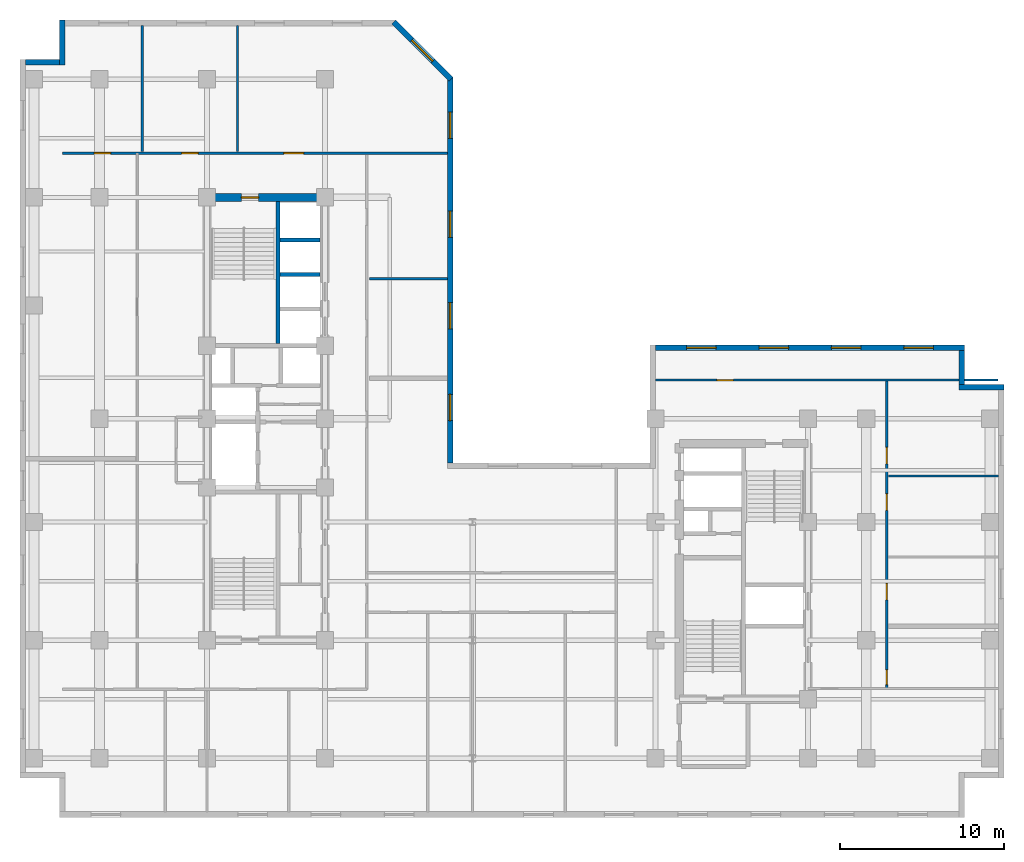
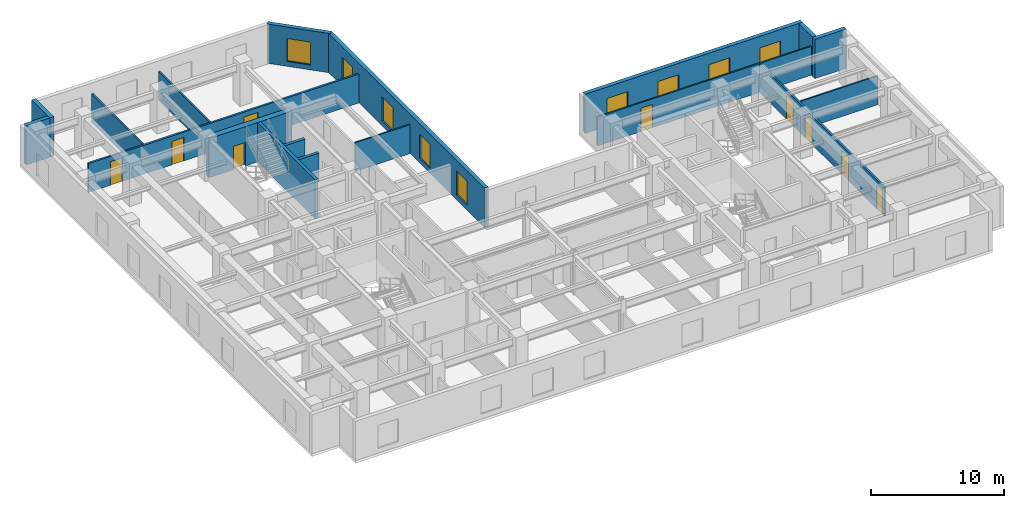
# One storey, part 6 of 10: 18 walls, 9 doors, 9 windows, 18 openings.
"""IFC4 building model written with IfcOpenShell, lengths in metres."""

from ifc_helpers import new_model, entity, si_unit, converted_unit, direction, frame, origin_with_axes, origin_2d_with_axis, place, context, subcontext, project, spatial, polyline, rectangle, outline, extrude, material, layer, layer_set, type_object, element, fill, save


model = new_model("IFC4")

# Units and contexts
model_context = context("Model", 3, precision=1e-05, world=origin_with_axes(), true_north=direction((0.0, 1.0)))
body_context = subcontext(model_context, "Body", "Model", "MODEL_VIEW")
ifc_project = project(units=[si_unit("LENGTHUNIT", "METRE"), si_unit("AREAUNIT", "SQUARE_METRE"), si_unit("VOLUMEUNIT", "CUBIC_METRE"), converted_unit("PLANEANGLEUNIT", "DEGREE", entity("IfcPlaneAngleMeasure", 0.017453292519943295), si_unit("PLANEANGLEUNIT", "RADIAN"), dimensions=[0, 0, 0, 0, 0, 0, 0]), si_unit("MASSUNIT", "GRAM", prefix="KILO"), si_unit("THERMODYNAMICTEMPERATUREUNIT", "KELVIN")], contexts=[model_context])

# Site, building, storey
site_placement = place(None, origin_with_axes())
site = spatial("IfcSite", under=ifc_project, at=site_placement, CompositionType="ELEMENT")
building_placement = place(site_placement, origin_with_axes())
building = spatial("IfcBuilding", under=site, at=building_placement, Name="Varnlund Millrace Tower", CompositionType="ELEMENT")
storey_placement = place(building_placement, frame((0.0, 0.0, 183.6), z_axis=(0.0, 0.0, 1.0), x_axis=(1.0, 0.0, 0.0)))
storey = spatial("IfcBuildingStorey", under=building, at=storey_placement, Name="L45", CompositionType="ELEMENT", Elevation=183.6)

# Wall, opening, door
ifc_material_1 = material(Name="Concrete C70/85", Category="concrete")
ifc_layer_1 = layer(ifc_material_1, 0.5, Name="Concrete C70/85")
ifc_layer_set_1 = layer_set([ifc_layer_1], Name="Concrete C70/85")
wall_type_1 = type_object("IfcWallType", Name="Type-CoreWall-Shear-500-C70", PredefinedType="SHEAR", material=ifc_layer_set_1)
wall_1_placement = place(storey_placement, frame((11.4, 37.8, 0.0), z_axis=(0.0, 0.0, 1.0), x_axis=(1.0, 0.0, 0.0)))
wall_1 = element("IfcWall", 1, at=wall_1_placement, inside=storey, type_object=wall_type_1, Name="Type-CoreWall-Shear-500-C70", PredefinedType="SHEAR", context=body_context, shape_type="SweptSolid", body=[
    extrude(outline(polyline([(0.0, -0.25), (7.2, -0.25), (7.2, 0.25), (0.0, 0.25), (0.0, -0.25)])), origin_with_axes(), (0.0, 0.0, 1.0), 3.6),
])
opening_1_placement = place(wall_1_placement, frame((2.625, 0.0, 0.0), z_axis=(0.0, 0.0, 1.0), x_axis=(1.0, 0.0, 0.0)))
opening_1 = element("IfcOpeningElement", 2, at=opening_1_placement, cuts=wall_1, Name="Opening L45:DR-STA2", PredefinedType="OPENING", context=body_context, shape_type="SweptSolid", body=[
    extrude(rectangle(XDim=1.05, YDim=0.52, at=origin_2d_with_axis()), origin_with_axes(), (0.0, 0.0, 1.0), 2.15),
])
ifc_material_2 = material(Name="Fire-rated hollow steel door", Category="steel")
door_type_1 = type_object("IfcDoorType", Name="Type-FireDoor-Stair-1050X2150", OperationType="NOTDEFINED", PredefinedType="DOOR", material=ifc_material_2)
door_1_placement = place(wall_1_placement, frame((2.625, 0.0, 0.0), z_axis=(0.0, 0.0, 1.0), x_axis=(1.0, 0.0, 0.0)))
door_1 = element("IfcDoor", 3, at=door_1_placement, inside=storey, type_object=door_type_1, Name="Type-FireDoor-Stair-1050X2150", OperationType="SINGLE_SWING_RIGHT", OverallHeight=2.15, OverallWidth=1.05, PredefinedType="DOOR", context=body_context, shape_type="SweptSolid", body=[
    extrude(rectangle(XDim=1.05, YDim=0.09, at=origin_2d_with_axis()), origin_with_axes(), (0.0, 0.0, 1.0), 2.15),
])
fill(opening_1, door_1)

# Wall, openings, windows
ifc_material_3 = material(Name="Precast concrete C50/60", Category="concrete")
ifc_layer_2 = layer(ifc_material_3, 0.34, Name="Precast concrete C50/60")
ifc_layer_set_2 = layer_set([ifc_layer_2], Name="Precast concrete C50/60")
wall_type_2 = type_object("IfcWallType", Name="Type-ExtWall-Precast-Upper-340", PredefinedType="SOLIDWALL", material=ifc_layer_set_2)
wall_2_placement = place(storey_placement, frame((38.74, 28.63, 0.0), z_axis=(0.0, 0.0, 1.0), x_axis=(1.0, 0.0, 0.0)))
wall_2 = element("IfcWall", 4, at=wall_2_placement, inside=storey, type_object=wall_type_2, Name="Type-ExtWall-Precast-Upper-340", PredefinedType="SOLIDWALL", context=body_context, shape_type="SweptSolid", body=[
    extrude(outline(polyline([(0.0, -0.17), (18.86, -0.17), (18.86, 0.17), (0.0, 0.17), (0.0, -0.17)])), origin_with_axes(), (0.0, 0.0, 1.0), 3.6),
])
opening_2_placement = place(wall_2_placement, frame((2.808, 0.0, 0.45), z_axis=(0.0, 0.0, 1.0), x_axis=(1.0, 0.0, 0.0)))
opening_2 = element("IfcOpeningElement", 5, at=opening_2_placement, cuts=wall_2, Name="Opening L45:WN-01", PredefinedType="OPENING", context=body_context, shape_type="SweptSolid", body=[
    extrude(rectangle(XDim=1.8, YDim=0.36, at=origin_2d_with_axis()), origin_with_axes(), (0.0, 0.0, 1.0), 2.1),
])
opening_3_placement = place(wall_2_placement, frame((7.222, 0.0, 0.45), z_axis=(0.0, 0.0, 1.0), x_axis=(1.0, 0.0, 0.0)))
opening_3 = element("IfcOpeningElement", 6, at=opening_3_placement, cuts=wall_2, Name="Opening L45:WN-02", PredefinedType="OPENING", context=body_context, shape_type="SweptSolid", body=[
    extrude(rectangle(XDim=1.8, YDim=0.36, at=origin_2d_with_axis()), origin_with_axes(), (0.0, 0.0, 1.0), 2.1),
])
opening_4_placement = place(wall_2_placement, frame((11.637, 0.0, 0.45), z_axis=(0.0, 0.0, 1.0), x_axis=(1.0, 0.0, 0.0)))
opening_4 = element("IfcOpeningElement", 7, at=opening_4_placement, cuts=wall_2, Name="Opening L45:WN-03", PredefinedType="OPENING", context=body_context, shape_type="SweptSolid", body=[
    extrude(rectangle(XDim=1.8, YDim=0.36, at=origin_2d_with_axis()), origin_with_axes(), (0.0, 0.0, 1.0), 2.1),
])
opening_5_placement = place(wall_2_placement, frame((16.053, 0.0, 0.45), z_axis=(0.0, 0.0, 1.0), x_axis=(1.0, 0.0, 0.0)))
opening_5 = element("IfcOpeningElement", 8, at=opening_5_placement, cuts=wall_2, Name="Opening L45:WN-04", PredefinedType="OPENING", context=body_context, shape_type="SweptSolid", body=[
    extrude(rectangle(XDim=1.8, YDim=0.36, at=origin_2d_with_axis()), origin_with_axes(), (0.0, 0.0, 1.0), 2.1),
])
ifc_material_4 = material(Name="Argon low-e triple glazing in thermally broken bronze frame", Category="glass")
window_type_1 = type_object("IfcWindowType", Name="Type-Window-Punched-1800X2100", PartitioningType="SINGLE_PANEL", PredefinedType="WINDOW", material=ifc_material_4)
window_1_placement = place(wall_2_placement, frame((2.808, 0.0, 0.45), z_axis=(0.0, 0.0, 1.0), x_axis=(1.0, 0.0, 0.0)))
window_1 = element("IfcWindow", 9, at=window_1_placement, inside=storey, type_object=window_type_1, Name="Type-Window-Punched-1800X2100", OverallHeight=2.1, OverallWidth=1.8, PredefinedType="WINDOW", context=body_context, shape_type="SweptSolid", body=[
    extrude(rectangle(XDim=1.8, YDim=0.09, at=origin_2d_with_axis()), origin_with_axes(), (0.0, 0.0, 1.0), 2.1),
])
fill(opening_2, window_1)
window_2_placement = place(wall_2_placement, frame((7.222, 0.0, 0.45), z_axis=(0.0, 0.0, 1.0), x_axis=(1.0, 0.0, 0.0)))
window_2 = element("IfcWindow", 10, at=window_2_placement, inside=storey, type_object=window_type_1, Name="Type-Window-Punched-1800X2100", OverallHeight=2.1, OverallWidth=1.8, PredefinedType="WINDOW", context=body_context, shape_type="SweptSolid", body=[
    extrude(rectangle(XDim=1.8, YDim=0.09, at=origin_2d_with_axis()), origin_with_axes(), (0.0, 0.0, 1.0), 2.1),
])
fill(opening_3, window_2)
window_3_placement = place(wall_2_placement, frame((11.637, 0.0, 0.45), z_axis=(0.0, 0.0, 1.0), x_axis=(1.0, 0.0, 0.0)))
window_3 = element("IfcWindow", 11, at=window_3_placement, inside=storey, type_object=window_type_1, Name="Type-Window-Punched-1800X2100", OverallHeight=2.1, OverallWidth=1.8, PredefinedType="WINDOW", context=body_context, shape_type="SweptSolid", body=[
    extrude(rectangle(XDim=1.8, YDim=0.09, at=origin_2d_with_axis()), origin_with_axes(), (0.0, 0.0, 1.0), 2.1),
])
fill(opening_4, window_3)
window_4_placement = place(wall_2_placement, frame((16.053, 0.0, 0.45), z_axis=(0.0, 0.0, 1.0), x_axis=(1.0, 0.0, 0.0)))
window_4 = element("IfcWindow", 12, at=window_4_placement, inside=storey, type_object=window_type_1, Name="Type-Window-Punched-1800X2100", OverallHeight=2.1, OverallWidth=1.8, PredefinedType="WINDOW", context=body_context, shape_type="SweptSolid", body=[
    extrude(rectangle(XDim=1.8, YDim=0.09, at=origin_2d_with_axis()), origin_with_axes(), (0.0, 0.0, 1.0), 2.1),
])
fill(opening_5, window_4)

# Walls
wall_3_placement = place(storey_placement, frame((57.43, 28.46, 0.0), z_axis=(0.0, 0.0, 1.0), x_axis=(0.0, -1.0, 0.0)))
element("IfcWall", 13, at=wall_3_placement, inside=storey, type_object=wall_type_2, Name="Type-ExtWall-Precast-Upper-340", PredefinedType="SOLIDWALL", context=body_context, shape_type="SweptSolid", body=[
    extrude(outline(polyline([(0.0, -0.17), (2.06, -0.17), (2.06, 0.17), (0.0, 0.17), (0.0, -0.17)])), origin_with_axes(), (0.0, 0.0, 1.0), 3.6),
])
wall_4_placement = place(storey_placement, frame((57.26, 26.23, 0.0), z_axis=(0.0, 0.0, 1.0), x_axis=(1.0, 0.0, 0.0)))
element("IfcWall", 14, at=wall_4_placement, inside=storey, type_object=wall_type_2, Name="Type-ExtWall-Precast-Upper-340", PredefinedType="SOLIDWALL", context=body_context, shape_type="SweptSolid", body=[
    extrude(outline(polyline([(0.0, -0.17), (2.74, -0.17), (2.74, 0.17), (0.0, 0.17), (0.0, -0.17)])), origin_with_axes(), (0.0, 0.0, 1.0), 3.6),
])
wall_5_placement = place(storey_placement, frame((0.34, 46.03, 0.0), z_axis=(0.0, 0.0, 1.0), x_axis=(1.0, 0.0, 0.0)))
element("IfcWall", 15, at=wall_5_placement, inside=storey, type_object=wall_type_2, Name="Type-ExtWall-Precast-Upper-340", PredefinedType="SOLIDWALL", context=body_context, shape_type="SweptSolid", body=[
    extrude(outline(polyline([(0.0, -0.17), (2.06, -0.17), (2.06, 0.17), (0.0, 0.17), (0.0, -0.17)])), origin_with_axes(), (0.0, 0.0, 1.0), 3.6),
])
wall_6_placement = place(storey_placement, frame((2.57, 45.86, 0.0), z_axis=(0.0, 0.0, 1.0), x_axis=(0.0, 1.0, 0.0)))
element("IfcWall", 16, at=wall_6_placement, inside=storey, type_object=wall_type_2, Name="Type-ExtWall-Precast-Upper-340", PredefinedType="SOLIDWALL", context=body_context, shape_type="SweptSolid", body=[
    extrude(outline(polyline([(0.0, -0.17), (2.74, -0.17), (2.74, 0.17), (0.0, 0.17), (0.0, -0.17)])), origin_with_axes(), (0.0, 0.0, 1.0), 3.6),
])

# Wall, opening, window
wall_7_placement = place(storey_placement, frame((22.78, 48.494, 0.0), z_axis=(0.0, 0.0, 1.0), x_axis=(0.707107, -0.707107, 0.0)))
wall_7 = element("IfcWall", 17, at=wall_7_placement, inside=storey, type_object=wall_type_2, Name="Type-ExtWall-Precast-Upper-340", PredefinedType="SOLIDWALL", context=body_context, shape_type="SweptSolid", body=[
    extrude(outline(polyline([(0.0, -0.17), (4.941262, -0.17), (4.941262, 0.17), (0.0, 0.17), (0.0, -0.17)])), origin_with_axes(), (0.0, 0.0, 1.0), 3.6),
])
opening_6_placement = place(wall_7_placement, frame((2.471, 0.0, 0.45), z_axis=(0.0, 0.0, 1.0), x_axis=(1.0, 0.0, 0.0)))
opening_6 = element("IfcOpeningElement", 18, at=opening_6_placement, cuts=wall_7, Name="Opening L45:WN-29", PredefinedType="OPENING", context=body_context, shape_type="SweptSolid", body=[
    extrude(rectangle(XDim=1.8, YDim=0.36, at=origin_2d_with_axis()), origin_with_axes(), (0.0, 0.0, 1.0), 2.1),
])
window_5_placement = place(wall_7_placement, frame((2.471, 0.0, 0.45), z_axis=(0.0, 0.0, 1.0), x_axis=(1.0, 0.0, 0.0)))
window_5 = element("IfcWindow", 19, at=window_5_placement, inside=storey, type_object=window_type_1, Name="Type-Window-Punched-1800X2100", OverallHeight=2.1, OverallWidth=1.8, PredefinedType="WINDOW", context=body_context, shape_type="SweptSolid", body=[
    extrude(rectangle(XDim=1.8, YDim=0.09, at=origin_2d_with_axis()), origin_with_axes(), (0.0, 0.0, 1.0), 2.1),
])
fill(opening_6, window_5)

# Wall, openings, windows
wall_8_placement = place(storey_placement, frame((26.224, 45.14, 0.0), z_axis=(0.0, 0.0, 1.0), x_axis=(0.0, -1.0, 0.0)))
wall_8 = element("IfcWall", 20, at=wall_8_placement, inside=storey, type_object=wall_type_2, Name="Type-ExtWall-Precast-Upper-340", PredefinedType="SOLIDWALL", context=body_context, shape_type="SweptSolid", body=[
    extrude(outline(polyline([(0.0, -0.17), (23.54, -0.17), (23.54, 0.17), (0.0, 0.17), (0.0, -0.17)])), origin_with_axes(), (0.0, 0.0, 1.0), 3.6),
])
opening_7_placement = place(wall_8_placement, frame((2.943, 0.0, 0.45), z_axis=(0.0, 0.0, 1.0), x_axis=(1.0, 0.0, 0.0)))
opening_7 = element("IfcOpeningElement", 21, at=opening_7_placement, cuts=wall_8, Name="Opening L45:WN-30", PredefinedType="OPENING", context=body_context, shape_type="SweptSolid", body=[
    extrude(rectangle(XDim=1.6, YDim=0.36, at=origin_2d_with_axis()), origin_with_axes(), (0.0, 0.0, 1.0), 2.2),
])
opening_8_placement = place(wall_8_placement, frame((8.977, 0.0, 0.45), z_axis=(0.0, 0.0, 1.0), x_axis=(1.0, 0.0, 0.0)))
opening_8 = element("IfcOpeningElement", 22, at=opening_8_placement, cuts=wall_8, Name="Opening L45:WN-31", PredefinedType="OPENING", context=body_context, shape_type="SweptSolid", body=[
    extrude(rectangle(XDim=1.6, YDim=0.36, at=origin_2d_with_axis()), origin_with_axes(), (0.0, 0.0, 1.0), 2.2),
])
opening_9_placement = place(wall_8_placement, frame((14.562, 0.0, 0.45), z_axis=(0.0, 0.0, 1.0), x_axis=(1.0, 0.0, 0.0)))
opening_9 = element("IfcOpeningElement", 23, at=opening_9_placement, cuts=wall_8, Name="Opening L45:WN-32", PredefinedType="OPENING", context=body_context, shape_type="SweptSolid", body=[
    extrude(rectangle(XDim=1.6, YDim=0.36, at=origin_2d_with_axis()), origin_with_axes(), (0.0, 0.0, 1.0), 2.2),
])
opening_10_placement = place(wall_8_placement, frame((20.148, 0.0, 0.45), z_axis=(0.0, 0.0, 1.0), x_axis=(1.0, 0.0, 0.0)))
opening_10 = element("IfcOpeningElement", 24, at=opening_10_placement, cuts=wall_8, Name="Opening L45:WN-33", PredefinedType="OPENING", context=body_context, shape_type="SweptSolid", body=[
    extrude(rectangle(XDim=1.6, YDim=0.36, at=origin_2d_with_axis()), origin_with_axes(), (0.0, 0.0, 1.0), 2.2),
])
window_type_2 = type_object("IfcWindowType", Name="Type-Window-Slot-1600X2200", PartitioningType="SINGLE_PANEL", PredefinedType="WINDOW", material=ifc_material_4)
window_6_placement = place(wall_8_placement, frame((2.943, 0.0, 0.45), z_axis=(0.0, 0.0, 1.0), x_axis=(1.0, 0.0, 0.0)))
window_6 = element("IfcWindow", 25, at=window_6_placement, inside=storey, type_object=window_type_2, Name="Type-Window-Slot-1600X2200", OverallHeight=2.2, OverallWidth=1.6, PredefinedType="WINDOW", context=body_context, shape_type="SweptSolid", body=[
    extrude(rectangle(XDim=1.6, YDim=0.09, at=origin_2d_with_axis()), origin_with_axes(), (0.0, 0.0, 1.0), 2.2),
])
fill(opening_7, window_6)
window_7_placement = place(wall_8_placement, frame((8.977, 0.0, 0.45), z_axis=(0.0, 0.0, 1.0), x_axis=(1.0, 0.0, 0.0)))
window_7 = element("IfcWindow", 26, at=window_7_placement, inside=storey, type_object=window_type_2, Name="Type-Window-Slot-1600X2200", OverallHeight=2.2, OverallWidth=1.6, PredefinedType="WINDOW", context=body_context, shape_type="SweptSolid", body=[
    extrude(rectangle(XDim=1.6, YDim=0.09, at=origin_2d_with_axis()), origin_with_axes(), (0.0, 0.0, 1.0), 2.2),
])
fill(opening_8, window_7)
window_8_placement = place(wall_8_placement, frame((14.562, 0.0, 0.45), z_axis=(0.0, 0.0, 1.0), x_axis=(1.0, 0.0, 0.0)))
window_8 = element("IfcWindow", 27, at=window_8_placement, inside=storey, type_object=window_type_2, Name="Type-Window-Slot-1600X2200", OverallHeight=2.2, OverallWidth=1.6, PredefinedType="WINDOW", context=body_context, shape_type="SweptSolid", body=[
    extrude(rectangle(XDim=1.6, YDim=0.09, at=origin_2d_with_axis()), origin_with_axes(), (0.0, 0.0, 1.0), 2.2),
])
fill(opening_9, window_8)
window_9_placement = place(wall_8_placement, frame((20.148, 0.0, 0.45), z_axis=(0.0, 0.0, 1.0), x_axis=(1.0, 0.0, 0.0)))
window_9 = element("IfcWindow", 28, at=window_9_placement, inside=storey, type_object=window_type_2, Name="Type-Window-Slot-1600X2200", OverallHeight=2.2, OverallWidth=1.6, PredefinedType="WINDOW", context=body_context, shape_type="SweptSolid", body=[
    extrude(rectangle(XDim=1.6, YDim=0.09, at=origin_2d_with_axis()), origin_with_axes(), (0.0, 0.0, 1.0), 2.2),
])
fill(opening_10, window_9)

# Wall, openings, doors
ifc_material_5 = material(Name="Fire-rated gypsum board on cold-formed steel framing", Category="steel")
ifc_layer_3 = layer(ifc_material_5, 0.16, Name="Fire-rated gypsum board on cold-formed steel framing")
ifc_layer_set_3 = layer_set([ifc_layer_3], Name="Fire-rated gypsum board on cold-formed steel framing")
wall_type_3 = type_object("IfcWallType", Name="Type-Partition-Corridor-160", PredefinedType="PARTITIONING", material=ifc_layer_set_3)
wall_9_placement = place(storey_placement, frame((2.6, 40.5, 0.0), z_axis=(0.0, 0.0, 1.0), x_axis=(1.0, 0.0, 0.0)))
wall_9 = element("IfcWall", 29, at=wall_9_placement, inside=storey, type_object=wall_type_3, Name="Type-Partition-Corridor-160", PredefinedType="PARTITIONING", context=body_context, shape_type="SweptSolid", body=[
    extrude(outline(polyline([(0.0, -0.08), (23.459, -0.08), (23.459, 0.08), (0.0, 0.08), (0.0, -0.08)])), origin_with_axes(), (0.0, 0.0, 1.0), 2.64),
])
opening_11_placement = place(wall_9_placement, frame((2.4225, 0.0, 0.0), z_axis=(0.0, 0.0, 1.0), x_axis=(1.0, 0.0, 0.0)))
opening_11 = element("IfcOpeningElement", 30, at=opening_11_placement, cuts=wall_9, Name="Opening L45:DR-WAN-01", PredefinedType="OPENING", context=body_context, shape_type="SweptSolid", body=[
    extrude(rectangle(XDim=1.0, YDim=0.18, at=origin_2d_with_axis()), origin_with_axes(), (0.0, 0.0, 1.0), 2.15),
])
opening_12_placement = place(wall_9_placement, frame((7.7565, 0.0, 0.0), z_axis=(0.0, 0.0, 1.0), x_axis=(1.0, 0.0, 0.0)))
opening_12 = element("IfcOpeningElement", 31, at=opening_12_placement, cuts=wall_9, Name="Opening L45:DR-WAN-02", PredefinedType="OPENING", context=body_context, shape_type="SweptSolid", body=[
    extrude(rectangle(XDim=1.0, YDim=0.18, at=origin_2d_with_axis()), origin_with_axes(), (0.0, 0.0, 1.0), 2.15),
])
opening_13_placement = place(wall_9_placement, frame((14.089, 0.0, 0.0), z_axis=(0.0, 0.0, 1.0), x_axis=(1.0, 0.0, 0.0)))
opening_13 = element("IfcOpeningElement", 32, at=opening_13_placement, cuts=wall_9, Name="Opening L45:DR-WAN-03", PredefinedType="OPENING", context=body_context, shape_type="SweptSolid", body=[
    extrude(rectangle(XDim=1.2, YDim=0.18, at=origin_2d_with_axis()), origin_with_axes(), (0.0, 0.0, 1.0), 2.2),
])
ifc_material_6 = material(Name="Wide executive white oak acoustic door")
door_type_2 = type_object("IfcDoorType", Name="Type-IntDoor-Exec-1200X2200", OperationType="NOTDEFINED", PredefinedType="DOOR", material=ifc_material_6)
door_2_placement = place(wall_9_placement, frame((14.089, 0.0, 0.0), z_axis=(0.0, 0.0, 1.0), x_axis=(1.0, 0.0, 0.0)))
door_2 = element("IfcDoor", 33, at=door_2_placement, inside=storey, type_object=door_type_2, Name="Type-IntDoor-Exec-1200X2200", OperationType="SINGLE_SWING_LEFT", OverallHeight=2.2, OverallWidth=1.2, PredefinedType="DOOR", context=body_context, shape_type="SweptSolid", body=[
    extrude(rectangle(XDim=1.2, YDim=0.09, at=origin_2d_with_axis()), origin_with_axes(), (0.0, 0.0, 1.0), 2.2),
])
fill(opening_13, door_2)
ifc_material_7 = material(Name="Solid-core white oak and bronze frame door")
door_type_3 = type_object("IfcDoorType", Name="Type-IntDoor-Office-1000X2150", OperationType="NOTDEFINED", PredefinedType="DOOR", material=ifc_material_7)
door_3_placement = place(wall_9_placement, frame((2.4225, 0.0, 0.0), z_axis=(0.0, 0.0, 1.0), x_axis=(1.0, 0.0, 0.0)))
door_3 = element("IfcDoor", 34, at=door_3_placement, inside=storey, type_object=door_type_3, Name="Type-IntDoor-Office-1000X2150", OperationType="SINGLE_SWING_LEFT", OverallHeight=2.15, OverallWidth=1.0, PredefinedType="DOOR", context=body_context, shape_type="SweptSolid", body=[
    extrude(rectangle(XDim=1.0, YDim=0.09, at=origin_2d_with_axis()), origin_with_axes(), (0.0, 0.0, 1.0), 2.15),
])
fill(opening_11, door_3)
door_4_placement = place(wall_9_placement, frame((7.7565, 0.0, 0.0), z_axis=(0.0, 0.0, 1.0), x_axis=(1.0, 0.0, 0.0)))
door_4 = element("IfcDoor", 35, at=door_4_placement, inside=storey, type_object=door_type_3, Name="Type-IntDoor-Office-1000X2150", OperationType="SINGLE_SWING_RIGHT", OverallHeight=2.15, OverallWidth=1.0, PredefinedType="DOOR", context=body_context, shape_type="SweptSolid", body=[
    extrude(rectangle(XDim=1.0, YDim=0.09, at=origin_2d_with_axis()), origin_with_axes(), (0.0, 0.0, 1.0), 2.15),
])
fill(opening_12, door_4)

wall_10_placement = place(storey_placement, frame((52.85, 7.85, 0.0), z_axis=(0.0, 0.0, 1.0), x_axis=(0.0, 1.0, 0.0)))
wall_10 = element("IfcWall", 36, at=wall_10_placement, inside=storey, type_object=wall_type_3, Name="Type-Partition-Corridor-160", PredefinedType="PARTITIONING", context=body_context, shape_type="SweptSolid", body=[
    extrude(outline(polyline([(0.0, -0.08), (18.8, -0.08), (18.8, 0.08), (0.0, 0.08), (0.0, -0.08)])), origin_with_axes(), (0.0, 0.0, 1.0), 2.64),
])
opening_14_placement = place(wall_10_placement, frame((0.684, 0.0, 0.0), z_axis=(0.0, 0.0, 1.0), x_axis=(1.0, 0.0, 0.0)))
opening_14 = element("IfcOpeningElement", 37, at=opening_14_placement, cuts=wall_10, Name="Opening L45:DR-WB-01", PredefinedType="OPENING", context=body_context, shape_type="SweptSolid", body=[
    extrude(rectangle(XDim=0.9, YDim=0.18, at=origin_2d_with_axis()), origin_with_axes(), (0.0, 0.0, 1.0), 2.15),
])
opening_15_placement = place(wall_10_placement, frame((5.907, 0.0, 0.0), z_axis=(0.0, 0.0, 1.0), x_axis=(1.0, 0.0, 0.0)))
opening_15 = element("IfcOpeningElement", 38, at=opening_15_placement, cuts=wall_10, Name="Opening L45:DR-WB-02", PredefinedType="OPENING", context=body_context, shape_type="SweptSolid", body=[
    extrude(rectangle(XDim=1.0, YDim=0.18, at=origin_2d_with_axis()), origin_with_axes(), (0.0, 0.0, 1.0), 2.15),
])
opening_16_placement = place(wall_10_placement, frame((11.368, 0.0, 0.0), z_axis=(0.0, 0.0, 1.0), x_axis=(1.0, 0.0, 0.0)))
opening_16 = element("IfcOpeningElement", 39, at=opening_16_placement, cuts=wall_10, Name="Opening L45:DR-WB-03", PredefinedType="OPENING", context=body_context, shape_type="SweptSolid", body=[
    extrude(rectangle(XDim=1.0, YDim=0.18, at=origin_2d_with_axis()), origin_with_axes(), (0.0, 0.0, 1.0), 2.15),
])
opening_17_placement = place(wall_10_placement, frame((14.204, 0.0, 0.0), z_axis=(0.0, 0.0, 1.0), x_axis=(1.0, 0.0, 0.0)))
opening_17 = element("IfcOpeningElement", 40, at=opening_17_placement, cuts=wall_10, Name="Opening L45:DR-WB-04", PredefinedType="OPENING", context=body_context, shape_type="SweptSolid", body=[
    extrude(rectangle(XDim=1.0, YDim=0.18, at=origin_2d_with_axis()), origin_with_axes(), (0.0, 0.0, 1.0), 2.15),
])
ifc_material_8 = material(Name="Painted steel riser and closet door", Category="steel")
door_type_4 = type_object("IfcDoorType", Name="Type-IntDoor-Closet-900X2150", OperationType="NOTDEFINED", PredefinedType="DOOR", material=ifc_material_8)
door_5_placement = place(wall_10_placement, frame((0.684, 0.0, 0.0), z_axis=(0.0, 0.0, 1.0), x_axis=(1.0, 0.0, 0.0)))
door_5 = element("IfcDoor", 41, at=door_5_placement, inside=storey, type_object=door_type_4, Name="Type-IntDoor-Closet-900X2150", OperationType="SINGLE_SWING_LEFT", OverallHeight=2.15, OverallWidth=0.9, PredefinedType="DOOR", context=body_context, shape_type="SweptSolid", body=[
    extrude(rectangle(XDim=0.9, YDim=0.09, at=origin_2d_with_axis()), origin_with_axes(), (0.0, 0.0, 1.0), 2.15),
])
fill(opening_14, door_5)
door_6_placement = place(wall_10_placement, frame((5.907, 0.0, 0.0), z_axis=(0.0, 0.0, 1.0), x_axis=(1.0, 0.0, 0.0)))
door_6 = element("IfcDoor", 42, at=door_6_placement, inside=storey, type_object=door_type_3, Name="Type-IntDoor-Office-1000X2150", OperationType="SINGLE_SWING_RIGHT", OverallHeight=2.15, OverallWidth=1.0, PredefinedType="DOOR", context=body_context, shape_type="SweptSolid", body=[
    extrude(rectangle(XDim=1.0, YDim=0.09, at=origin_2d_with_axis()), origin_with_axes(), (0.0, 0.0, 1.0), 2.15),
])
fill(opening_15, door_6)
door_7_placement = place(wall_10_placement, frame((11.368, 0.0, 0.0), z_axis=(0.0, 0.0, 1.0), x_axis=(1.0, 0.0, 0.0)))
door_7 = element("IfcDoor", 43, at=door_7_placement, inside=storey, type_object=door_type_3, Name="Type-IntDoor-Office-1000X2150", OperationType="SINGLE_SWING_LEFT", OverallHeight=2.15, OverallWidth=1.0, PredefinedType="DOOR", context=body_context, shape_type="SweptSolid", body=[
    extrude(rectangle(XDim=1.0, YDim=0.09, at=origin_2d_with_axis()), origin_with_axes(), (0.0, 0.0, 1.0), 2.15),
])
fill(opening_16, door_7)
door_8_placement = place(wall_10_placement, frame((14.204, 0.0, 0.0), z_axis=(0.0, 0.0, 1.0), x_axis=(1.0, 0.0, 0.0)))
door_8 = element("IfcDoor", 44, at=door_8_placement, inside=storey, type_object=door_type_3, Name="Type-IntDoor-Office-1000X2150", OperationType="SINGLE_SWING_RIGHT", OverallHeight=2.15, OverallWidth=1.0, PredefinedType="DOOR", context=body_context, shape_type="SweptSolid", body=[
    extrude(rectangle(XDim=1.0, YDim=0.09, at=origin_2d_with_axis()), origin_with_axes(), (0.0, 0.0, 1.0), 2.15),
])
fill(opening_17, door_8)

# Walls
ifc_material_9 = material(Name="Acoustic STC-50 gypsum board partition", Category="gypsum")
ifc_layer_4 = layer(ifc_material_9, 0.15, Name="Acoustic STC-50 gypsum board partition")
ifc_layer_set_4 = layer_set([ifc_layer_4], Name="Acoustic STC-50 gypsum board partition")
wall_type_4 = type_object("IfcWallType", Name="Type-Partition-Demising-150", PredefinedType="PARTITIONING", material=ifc_layer_set_4)
wall_11_placement = place(storey_placement, frame((7.455, 40.6, 0.0), z_axis=(0.0, 0.0, 1.0), x_axis=(0.0, 1.0, 0.0)))
element("IfcWall", 45, at=wall_11_placement, inside=storey, type_object=wall_type_4, Name="Type-Partition-Demising-150", PredefinedType="PARTITIONING", context=body_context, shape_type="SweptSolid", body=[
    extrude(outline(polyline([(0.0, -0.075), (7.665, -0.075), (7.665, 0.075), (0.0, 0.075), (0.0, -0.075)])), origin_with_axes(), (0.0, 0.0, 1.0), 2.64),
])
ifc_material_10 = material(Name="Gypsum board tenant partition", Category="gypsum")
ifc_layer_5 = layer(ifc_material_10, 0.125, Name="Gypsum board tenant partition")
ifc_layer_set_5 = layer_set([ifc_layer_5], Name="Gypsum board tenant partition")
wall_type_5 = type_object("IfcWallType", Name="Type-Partition-Tenant-125", PredefinedType="PARTITIONING", material=ifc_layer_set_5)
wall_12_placement = place(storey_placement, frame((13.258, 40.6, 0.0), z_axis=(0.0, 0.0, 1.0), x_axis=(0.0, 1.0, 0.0)))
element("IfcWall", 46, at=wall_12_placement, inside=storey, type_object=wall_type_5, Name="Type-Partition-Tenant-125", PredefinedType="PARTITIONING", context=body_context, shape_type="SweptSolid", body=[
    extrude(outline(polyline([(0.0, -0.0625), (7.665, -0.0625), (7.665, 0.0625), (0.0, 0.0625), (0.0, -0.0625)])), origin_with_axes(), (0.0, 0.0, 1.0), 2.64),
])
wall_13_placement = place(storey_placement, frame((21.3, 32.837, 0.0), z_axis=(0.0, 0.0, 1.0), x_axis=(1.0, 0.0, 0.0)))
element("IfcWall", 47, at=wall_13_placement, inside=storey, type_object=wall_type_5, Name="Type-Partition-Tenant-125", PredefinedType="PARTITIONING", context=body_context, shape_type="SweptSolid", body=[
    extrude(outline(polyline([(0.0, -0.0625), (4.759, -0.0625), (4.759, 0.0625), (0.0, 0.0625), (0.0, -0.0625)])), origin_with_axes(), (0.0, 0.0, 1.0), 2.64),
])

# Wall, opening, door
wall_14_placement = place(storey_placement, frame((38.735, 26.65, 0.0), z_axis=(0.0, 0.0, 1.0), x_axis=(1.0, 0.0, 0.0)))
wall_14 = element("IfcWall", 48, at=wall_14_placement, inside=storey, type_object=wall_type_5, Name="Type-Partition-Tenant-125", PredefinedType="PARTITIONING", context=body_context, shape_type="SweptSolid", body=[
    extrude(outline(polyline([(0.0, -0.0625), (20.905, -0.0625), (20.905, 0.0625), (0.0, 0.0625), (0.0, -0.0625)])), origin_with_axes(), (0.0, 0.0, 1.0), 2.64),
])
opening_18_placement = place(wall_14_placement, frame((4.265, 0.0, 0.0), z_axis=(0.0, 0.0, 1.0), x_axis=(1.0, 0.0, 0.0)))
opening_18 = element("IfcOpeningElement", 49, at=opening_18_placement, cuts=wall_14, Name="Opening L45:DR-WBN-01", PredefinedType="OPENING", context=body_context, shape_type="SweptSolid", body=[
    extrude(rectangle(XDim=1.0, YDim=0.145, at=origin_2d_with_axis()), origin_with_axes(), (0.0, 0.0, 1.0), 2.15),
])
door_9_placement = place(wall_14_placement, frame((4.265, 0.0, 0.0), z_axis=(0.0, 0.0, 1.0), x_axis=(1.0, 0.0, 0.0)))
door_9 = element("IfcDoor", 50, at=door_9_placement, inside=storey, type_object=door_type_3, Name="Type-IntDoor-Office-1000X2150", OperationType="SINGLE_SWING_RIGHT", OverallHeight=2.15, OverallWidth=1.0, PredefinedType="DOOR", context=body_context, shape_type="SweptSolid", body=[
    extrude(rectangle(XDim=1.0, YDim=0.075, at=origin_2d_with_axis()), origin_with_axes(), (0.0, 0.0, 1.0), 2.15),
])
fill(opening_18, door_9)

# Walls
wall_15_placement = place(storey_placement, frame((52.97, 20.818, 0.0), z_axis=(0.0, 0.0, 1.0), x_axis=(1.0, 0.0, 0.0)))
element("IfcWall", 51, at=wall_15_placement, inside=storey, type_object=wall_type_5, Name="Type-Partition-Tenant-125", PredefinedType="PARTITIONING", context=body_context, shape_type="SweptSolid", body=[
    extrude(outline(polyline([(0.0, -0.0625), (6.695, -0.0625), (6.695, 0.0625), (0.0, 0.0625), (0.0, -0.0625)])), origin_with_axes(), (0.0, 0.0, 1.0), 2.64),
])
ifc_material_11 = material(Name="Concrete C60/75", Category="concrete")
ifc_layer_6 = layer(ifc_material_11, 0.25, Name="Concrete C60/75")
ifc_layer_set_6 = layer_set([ifc_layer_6], Name="Concrete C60/75")
wall_type_6 = type_object("IfcWallType", Name="Type-ShaftWall-Fire-250", PredefinedType="SOLIDWALL", material=ifc_layer_set_6)
for number, where, z_axis, x_axis, name in (
    (52, (15.84, 33.1, 0.0), (0.0, 0.0, 1.0), (1.0, 0.0, 0.0), "Type-ShaftWall-Fire-250"),
    (53, (15.84, 35.2, 0.0), (0.0, 0.0, 1.0), (1.0, 0.0, 0.0), "Type-ShaftWall-Fire-250"),
):
    element("IfcWall", number, at=place(storey_placement, frame(where, z_axis=z_axis, x_axis=x_axis)), inside=storey, type_object=wall_type_6, Name=name, PredefinedType="SOLIDWALL", context=body_context, shape_type="SweptSolid", body=[
        extrude(outline(polyline([(0.0, -0.125), (2.46, -0.125), (2.46, 0.125), (0.0, 0.125), (0.0, -0.125)])), origin_with_axes(), (0.0, 0.0, 1.0), 2.64),
    ])
wall_type_7 = type_object("IfcWallType", Name="Type-StairWall-Shear-250", PredefinedType="SHEAR", material=ifc_layer_set_6)
wall_16_placement = place(storey_placement, frame((15.725, 28.9, 0.0), z_axis=(0.0, 0.0, 1.0), x_axis=(0.0, 1.0, 0.0)))
element("IfcWall", 54, at=wall_16_placement, inside=storey, type_object=wall_type_7, Name="Type-StairWall-Shear-250", PredefinedType="SHEAR", context=body_context, shape_type="SweptSolid", body=[
    extrude(outline(polyline([(0.0, -0.125), (8.65, -0.125), (8.65, 0.125), (0.0, 0.125), (0.0, -0.125)])), origin_with_axes(), (0.0, 0.0, 1.0), 3.6),
])

save(model, "model.ifc")
